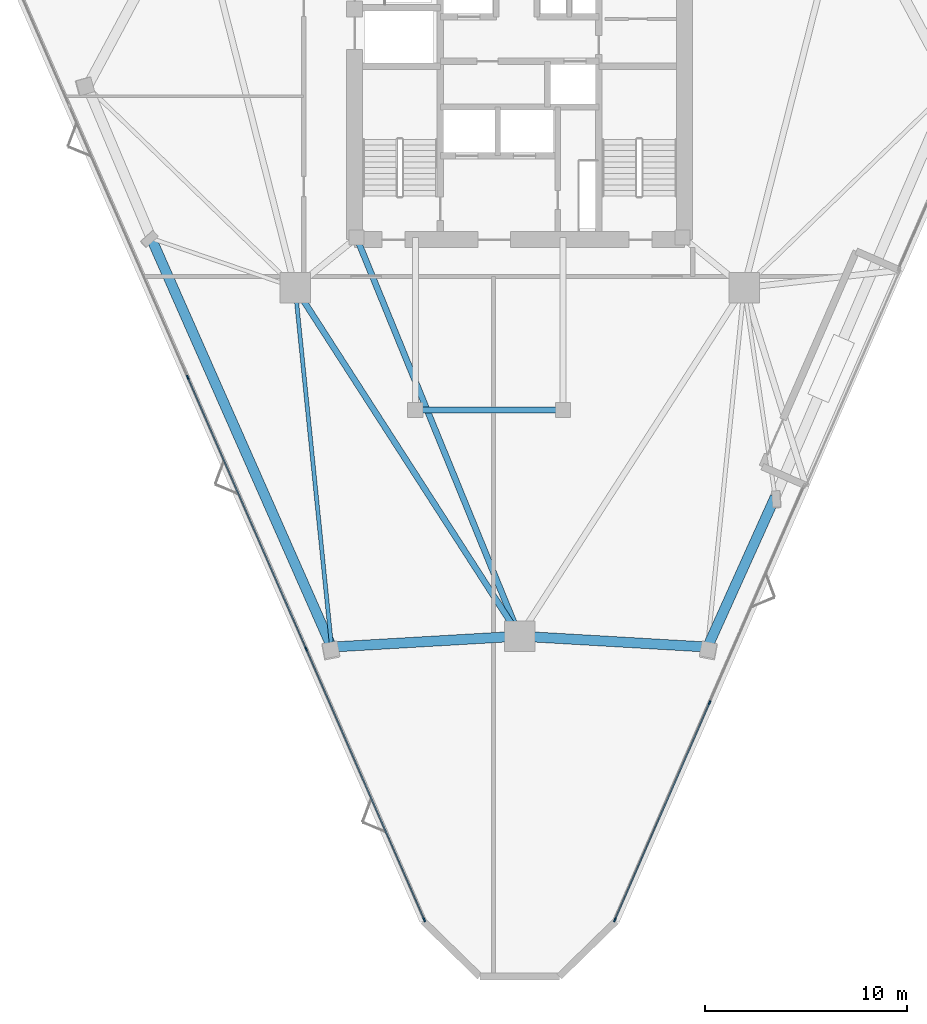
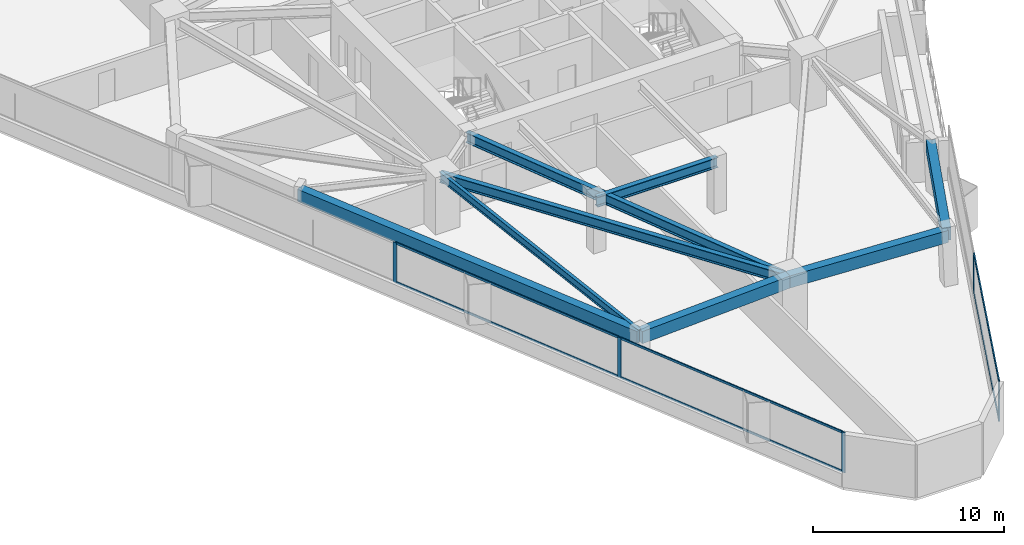
# One storey, part 2 of 11: 11 members, 8 beams, 2 elements without a shape of their own.
"""IFC4 building model written with IfcOpenShell, lengths in metres."""

from ifc_helpers import new_model, si_unit, direction, frame, origin, origin_2d, place, context, subcontext, project, spatial, rectangle, i_section, extrude, material, layer, layer_set, material_profile, profile_set, type_object, element, aggregate, save


model = new_model("IFC4")

# Units and contexts
model_context = context("Model", 3, precision=1e-05, world=origin(), true_north=direction((0.0, 1.0)))
body_context = subcontext(model_context, "Body", "Model", "MODEL_VIEW")
ifc_project = project(units=[si_unit("LENGTHUNIT", "METRE"), si_unit("AREAUNIT", "SQUARE_METRE"), si_unit("VOLUMEUNIT", "CUBIC_METRE"), si_unit("PLANEANGLEUNIT", "RADIAN"), si_unit("MASSUNIT", "GRAM", prefix="KILO")], contexts=[model_context])

# Site, building, storey
site_placement = place(None, origin())
site = spatial("IfcSite", under=ifc_project, at=site_placement, CompositionType="ELEMENT")
building_placement = place(site_placement, origin())
building = spatial("IfcBuilding", under=site, at=building_placement, Name="Talyreon Biosciences Tower", CompositionType="ELEMENT")
storey_placement = place(building_placement, frame((0.0, 0.0, 149.10009765625)))
storey = spatial("IfcBuildingStorey", under=building, at=storey_placement, Name="L39", CompositionType="ELEMENT", Elevation=149.10009765625)

# Curtain wall, members
ifc_material_1 = material(Name="Thermally broken aluminium and low-E glazing", Category="aluminium")
ifc_layer = layer(ifc_material_1, 0.205078125)
ifc_layer_set = layer_set([ifc_layer], Name="Thermally broken aluminium and low-E glazing")
curtain_wall_type = type_object("IfcCurtainWallType", Name="CurtainWall_SkyGardenLoggia", PredefinedType="NOTDEFINED", material=ifc_layer_set)
curtain_wall_1_placement = place(storey_placement, origin())
curtain_wall_1 = element("IfcCurtainWall", 1, at=curtain_wall_1_placement, inside=storey, type_object=curtain_wall_type, Name="L39 Unitised Curtain Wall FCW-L39-11", PredefinedType="NOTDEFINED")
ifc_material_2 = material(Name="Anodised thermally broken aluminium", Category="aluminium")
ifc_material_profile_1 = material_profile(ifc_material_2, rectangle(XDim=0.074951171875, YDim=0.2099609375, at=origin_2d()), Name="ALUM MULLION 75x210")
ifc_profile_set_1 = profile_set([ifc_material_profile_1], Name="Anodised thermally broken aluminium")
member_type_1 = type_object("IfcMemberType", Name="CWMullion_75x210", PredefinedType="MULLION", material=ifc_profile_set_1)
member_1_placement = place(storey_placement, frame((75.38232421875, 38.379638671875, 0.809814453125), z_axis=(0.0, 0.0, 1.0), x_axis=(0.916646919811, -0.399697916434, 0.0)))
member_1 = element("IfcMember", 2, at=member_1_placement, type_object=member_type_1, Name="CW7 mullion 2", PredefinedType="MULLION", context=body_context, shape_type="SweptSolid", body=[
    extrude(rectangle(XDim=0.074951171875, YDim=0.2099609375, at=origin_2d()), origin(), (0.0, 0.0, 1.0), 2.565185546875),
])
member_2_placement = place(storey_placement, frame((70.708251953125, 27.66064453125, 0.809814453125), z_axis=(0.0, 0.0, 1.0), x_axis=(0.916646919811, -0.399697916434, 0.0)))
member_2 = element("IfcMember", 3, at=member_2_placement, type_object=member_type_1, Name="CW7 mullion 3", PredefinedType="MULLION", context=body_context, shape_type="SweptSolid", body=[
    extrude(rectangle(XDim=0.074951171875, YDim=0.2099609375, at=origin_2d()), origin(), (0.0, 0.0, 1.0), 2.565185546875),
])

curtain_wall_2_placement = place(storey_placement, origin())
curtain_wall_2 = element("IfcCurtainWall", 4, at=curtain_wall_2_placement, inside=storey, type_object=curtain_wall_type, Name="L39 Unitised Curtain Wall FCW-L39-15", PredefinedType="NOTDEFINED")
member_3_placement = place(storey_placement, frame((61.291748046875, 27.66064453125, 0.809814453125), z_axis=(0.0, 0.0, 1.0), x_axis=(-0.916646882049, -0.399698003034, 0.0)))
member_3 = element("IfcMember", 5, at=member_3_placement, type_object=member_type_1, Name="CW7 mullion 1", PredefinedType="MULLION", context=body_context, shape_type="SweptSolid", body=[
    extrude(rectangle(XDim=0.074951171875, YDim=0.2099609375, at=origin_2d()), origin(), (0.0, 0.0, 1.0), 2.565185546875),
])
member_4_placement = place(storey_placement, frame((55.458740234375, 41.037841796875, 0.809814453125), z_axis=(0.0, 0.0, 1.0), x_axis=(-0.916646882049, -0.399698003034, 0.0)))
member_4 = element("IfcMember", 6, at=member_4_placement, type_object=member_type_1, Name="CW7 mullion 2", PredefinedType="MULLION", context=body_context, shape_type="SweptSolid", body=[
    extrude(rectangle(XDim=0.074951171875, YDim=0.2099609375, at=origin_2d()), origin(), (0.0, 0.0, 1.0), 2.565185546875),
])
member_5_placement = place(storey_placement, frame((49.610595703125, 54.449462890625, 0.809814453125), z_axis=(0.0, 0.0, 1.0), x_axis=(-0.916646882049, -0.399698003034, 0.0)))
member_5 = element("IfcMember", 7, at=member_5_placement, type_object=member_type_1, Name="CW7 mullion 3", PredefinedType="MULLION", context=body_context, shape_type="SweptSolid", body=[
    extrude(rectangle(XDim=0.074951171875, YDim=0.2099609375, at=origin_2d()), origin(), (0.0, 0.0, 1.0), 2.565185546875),
])

# Member
ifc_material_profile_2 = material_profile(ifc_material_2, rectangle(XDim=0.06494140625, YDim=0.139892578125, at=origin_2d()), Name="ALUM TRANSOM 65x140")
ifc_profile_set_2 = profile_set([ifc_material_profile_2], Name="Anodised thermally broken aluminium")
member_type_2 = type_object("IfcMemberType", Name="CWTransom_65x140", PredefinedType="USERDEFINED", material=ifc_profile_set_2)
member_6_placement = place(storey_placement, frame((75.3671875, 38.34521484375, 0.84228515625), z_axis=(-0.399688648793, -0.916650960849, 0.0), x_axis=(0.916650960849, -0.399688648793, 0.0)))
member_6 = element("IfcMember", 8, at=member_6_placement, type_object=member_type_2, Name="CW7 transom 2.1", ObjectType="TRANSOM", PredefinedType="USERDEFINED", context=body_context, shape_type="SweptSolid", body=[
    extrude(rectangle(XDim=0.06494140625, YDim=0.139892578125, at=origin_2d()), origin(), (0.0, 0.0, 1.0), 11.61865234375),
])

member_7_placement = place(storey_placement, frame((75.3671875, 38.34521484375, 3.34228515625), z_axis=(-0.399688648793, -0.916650960849, 0.0), x_axis=(0.916650960849, -0.399688648793, 0.0)))
member_7 = element("IfcMember", 9, at=member_7_placement, type_object=member_type_2, Name="CW7 transom 2.2", ObjectType="TRANSOM", PredefinedType="USERDEFINED", context=body_context, shape_type="SweptSolid", body=[
    extrude(rectangle(XDim=0.06494140625, YDim=0.139892578125, at=origin_2d()), origin(), (0.0, 0.0, 1.0), 11.61865234375),
])

aggregate(curtain_wall_1, [member_1, member_2, member_6, member_7])

member_8_placement = place(storey_placement, frame((61.276611328125, 27.695068359375, 0.84228515625), z_axis=(-0.399695565989, 0.916647944703, 0.0), x_axis=(-0.916647944703, -0.399695565989, 0.0)))
member_8 = element("IfcMember", 10, at=member_8_placement, type_object=member_type_2, Name="CW7 transom 1.1", ObjectType="TRANSOM", PredefinedType="USERDEFINED", context=body_context, shape_type="SweptSolid", body=[
    extrude(rectangle(XDim=0.06494140625, YDim=0.139892578125, at=origin_2d()), origin(), (0.0, 0.0, 1.0), 14.5185546875),
])

member_9_placement = place(storey_placement, frame((61.276611328125, 27.695068359375, 3.34228515625), z_axis=(-0.399695565989, 0.916647944703, 0.0), x_axis=(-0.916647944703, -0.399695565989, 0.0)))
member_9 = element("IfcMember", 11, at=member_9_placement, type_object=member_type_2, Name="CW7 transom 1.2", ObjectType="TRANSOM", PredefinedType="USERDEFINED", context=body_context, shape_type="SweptSolid", body=[
    extrude(rectangle(XDim=0.06494140625, YDim=0.139892578125, at=origin_2d()), origin(), (0.0, 0.0, 1.0), 14.5185546875),
])

member_10_placement = place(storey_placement, frame((55.443603515625, 41.072265625, 0.84228515625), z_axis=(-0.399696725233, 0.916647439225, 0.0), x_axis=(-0.916647439225, -0.399696725233, 0.0)))
member_10 = element("IfcMember", 12, at=member_10_placement, type_object=member_type_2, Name="CW7 transom 2.1", ObjectType="TRANSOM", PredefinedType="USERDEFINED", context=body_context, shape_type="SweptSolid", body=[
    extrude(rectangle(XDim=0.06494140625, YDim=0.139892578125, at=origin_2d()), origin(), (0.0, 0.0, 1.0), 14.556396484375),
])

member_11_placement = place(storey_placement, frame((55.443603515625, 41.072265625, 3.34228515625), z_axis=(-0.399696725233, 0.916647439225, 0.0), x_axis=(-0.916647439225, -0.399696725233, 0.0)))
member_11 = element("IfcMember", 13, at=member_11_placement, type_object=member_type_2, Name="CW7 transom 2.2", ObjectType="TRANSOM", PredefinedType="USERDEFINED", context=body_context, shape_type="SweptSolid", body=[
    extrude(rectangle(XDim=0.06494140625, YDim=0.139892578125, at=origin_2d()), origin(), (0.0, 0.0, 1.0), 14.556396484375),
])

aggregate(curtain_wall_2, [member_3, member_4, member_5, member_8, member_9, member_10, member_11])

# Beams
ifc_material_3 = material(Name="Precast concrete C45/55", Category="concrete")
ifc_material_profile_3 = material_profile(ifc_material_3, rectangle(XDim=0.5, YDim=0.780029296875, at=origin_2d()), Name="RCB 500x780")
ifc_profile_set_3 = profile_set([ifc_material_profile_3], Name="Precast concrete C45/55")
beam_type_1 = type_object("IfcBeamType", Name="ExpressedSpandrel_500x780", PredefinedType="SPANDREL", material=ifc_profile_set_3)
beam_1_placement = place(storey_placement, frame((66.0, 41.6669921875, 2.98486328125), z_axis=(0.998317653576, -0.057981570852, 0.0), x_axis=(0.057981570852, 0.998317653576, 0.0)))
element("IfcBeam", 14, at=beam_1_placement, inside=storey, type_object=beam_type_1, Name="L39 Expressed Horizontal Concrete Spandrel 01", PredefinedType="SPANDREL", context=body_context, shape_type="SweptSolid", body=[
    extrude(rectangle(XDim=0.5, YDim=0.780029296875, at=origin_2d()), origin(), (0.0, 0.0, 1.0), 9.297119140625),
])
beam_2_placement = place(storey_placement, frame((75.281494140625, 41.1279296875, 2.98486328125), z_axis=(0.410872853703, 0.911692655498, 0.0), x_axis=(-0.911692655498, 0.410872853703, 0.0)))
element("IfcBeam", 15, at=beam_2_placement, inside=storey, type_object=beam_type_1, Name="L39 Expressed Horizontal Concrete Spandrel 02", PredefinedType="SPANDREL", context=body_context, shape_type="SweptSolid", body=[
    extrude(rectangle(XDim=0.5, YDim=0.780029296875, at=origin_2d()), origin(), (0.0, 0.0, 1.0), 8.129150390625),
])
beam_3_placement = place(storey_placement, frame((47.809326171875, 61.313232421875, 2.98486328125), z_axis=(0.403788126085, -0.91485252868, 0.0), x_axis=(0.91485252868, 0.403788126085, 0.0)))
element("IfcBeam", 16, at=beam_3_placement, inside=storey, type_object=beam_type_1, Name="L39 Expressed Horizontal Concrete Spandrel 11", PredefinedType="SPANDREL", context=body_context, shape_type="SweptSolid", body=[
    extrude(rectangle(XDim=0.5, YDim=0.780029296875, at=origin_2d()), origin(), (0.0, 0.0, 1.0), 22.06396484375),
])
beam_4_placement = place(storey_placement, frame((56.718505859375, 41.1279296875, 2.98486328125), z_axis=(0.998317653576, 0.057981570852, 0.0), x_axis=(-0.057981570852, 0.998317653576, 0.0)))
element("IfcBeam", 17, at=beam_4_placement, inside=storey, type_object=beam_type_1, Name="L39 Expressed Horizontal Concrete Spandrel 12", PredefinedType="SPANDREL", context=body_context, shape_type="SweptSolid", body=[
    extrude(rectangle(XDim=0.5, YDim=0.780029296875, at=origin_2d()), origin(), (0.0, 0.0, 1.0), 9.297119140625),
])
ifc_material_4 = material(Name="Steel SM355", Category="steel")
ifc_material_profile_4 = material_profile(ifc_material_4, i_section(OverallWidth=0.300048828125, OverallDepth=0.64990234375, WebThickness=0.01611328125, FlangeThickness=0.031005859375, FilletRadius=0.027099609375, at=origin_2d()), Name="HE650B")
ifc_profile_set_4 = profile_set([ifc_material_profile_4], Name="Steel SM355")
beam_type_2 = type_object("IfcBeamType", Name="SteelBeam_HE650B", PredefinedType="BEAM", material=ifc_profile_set_4)
beam_5_placement = place(storey_placement, frame((54.913818359375, 58.88037109375, 3.0498046875), z_axis=(0.541463723609, -0.840724114092, 0.0), x_axis=(0.840724114092, 0.541463723609, 0.0)))
element("IfcBeam", 18, at=beam_5_placement, inside=storey, type_object=beam_type_2, Name="L39 Mega-Ring Girder 6", PredefinedType="BEAM", context=body_context, shape_type="SweptSolid", body=[
    extrude(i_section(OverallWidth=0.300048828125, OverallDepth=0.64990234375, WebThickness=0.01611328125, FlangeThickness=0.031005859375, FilletRadius=0.027099609375, at=origin_2d()), origin(), (0.0, 0.0, 1.0), 20.474365234375),
])
beam_6_placement = place(storey_placement, frame((57.949951171875, 61.35009765625, 3.0498046875), z_axis=(0.378547014545, -0.925582064314, 0.0), x_axis=(0.925582064314, 0.378547014545, 0.0)))
element("IfcBeam", 19, at=beam_6_placement, inside=storey, type_object=beam_type_2, Name="L39 Radial Primary Girder 1", PredefinedType="BEAM", context=body_context, shape_type="SweptSolid", body=[
    extrude(i_section(OverallWidth=0.300048828125, OverallDepth=0.64990234375, WebThickness=0.01611328125, FlangeThickness=0.031005859375, FilletRadius=0.027099609375, at=origin_2d()), origin(), (0.0, 0.0, 1.0), 21.265625),
])
beam_7_placement = place(storey_placement, frame((60.85009765625, 52.840087890625, 3.0498046875), z_axis=(1.0, 0.0, 0.0), x_axis=(0.0, 1.0, 0.0)))
element("IfcBeam", 20, at=beam_7_placement, inside=storey, type_object=beam_type_2, Name="L39 Crown Shaft Spine Girder S", PredefinedType="BEAM", context=body_context, shape_type="SweptSolid", body=[
    extrude(i_section(OverallWidth=0.300048828125, OverallDepth=0.64990234375, WebThickness=0.01611328125, FlangeThickness=0.031005859375, FilletRadius=0.027099609375, at=origin_2d()), origin(), (0.0, 0.0, 1.0), 7.2998046875),
])
ifc_material_profile_5 = material_profile(ifc_material_4, i_section(OverallWidth=0.199951171875, OverallDepth=0.5, WebThickness=0.01025390625, FlangeThickness=0.01611328125, FilletRadius=0.02099609375, at=origin_2d()), Name="IPE500")
ifc_profile_set_5 = profile_set([ifc_material_profile_5], Name="Steel SM355")
beam_type_3 = type_object("IfcBeamType", Name="SteelJoist_IPE500", PredefinedType="JOIST", material=ifc_profile_set_5)
beam_8_placement = place(storey_placement, frame((54.913818359375, 58.88037109375, 3.125), z_axis=(0.101137296212, -0.994872477916, 0.0), x_axis=(0.994872477916, 0.101137296212, 0.0)))
element("IfcBeam", 21, at=beam_8_placement, inside=storey, type_object=beam_type_3, Name="L39 Radial Composite Floor Joist PC-SW2", PredefinedType="JOIST", context=body_context, shape_type="SweptSolid", body=[
    extrude(i_section(OverallWidth=0.199951171875, OverallDepth=0.5, WebThickness=0.01025390625, FlangeThickness=0.01611328125, FilletRadius=0.02099609375, at=origin_2d()), origin(), (0.0, 0.0, 1.0), 17.843994140625),
])

save(model, "model.ifc")
